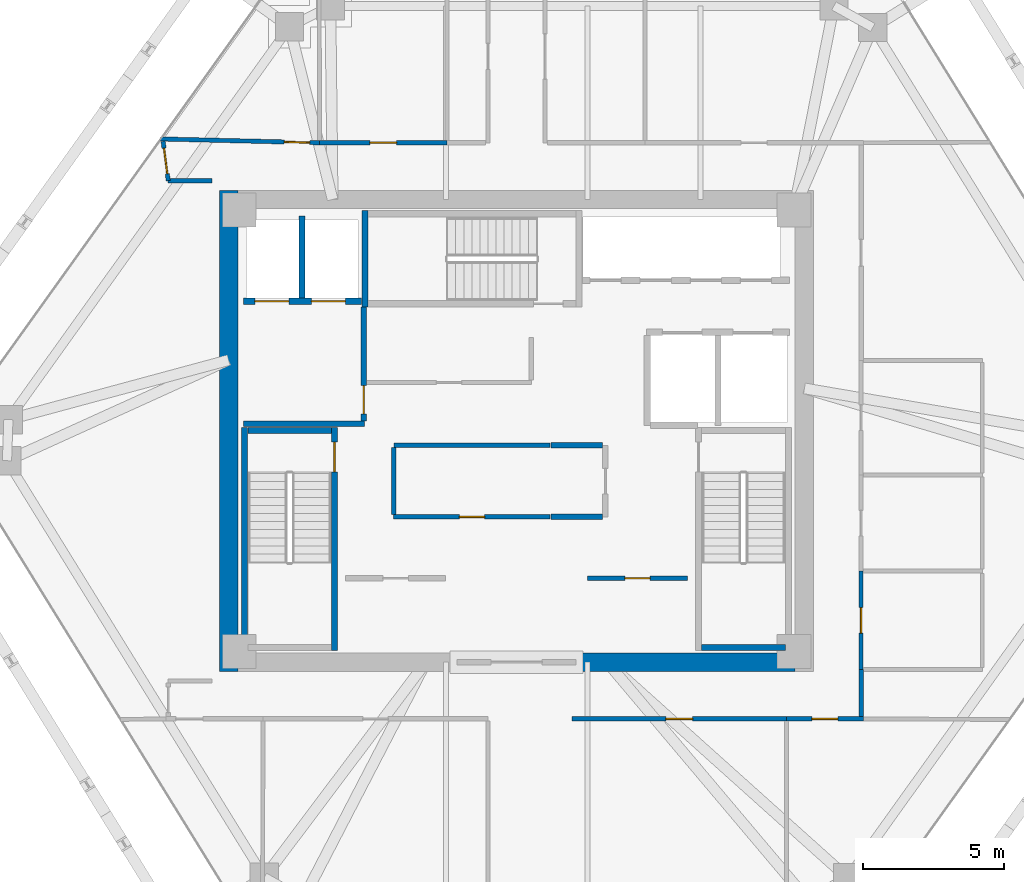
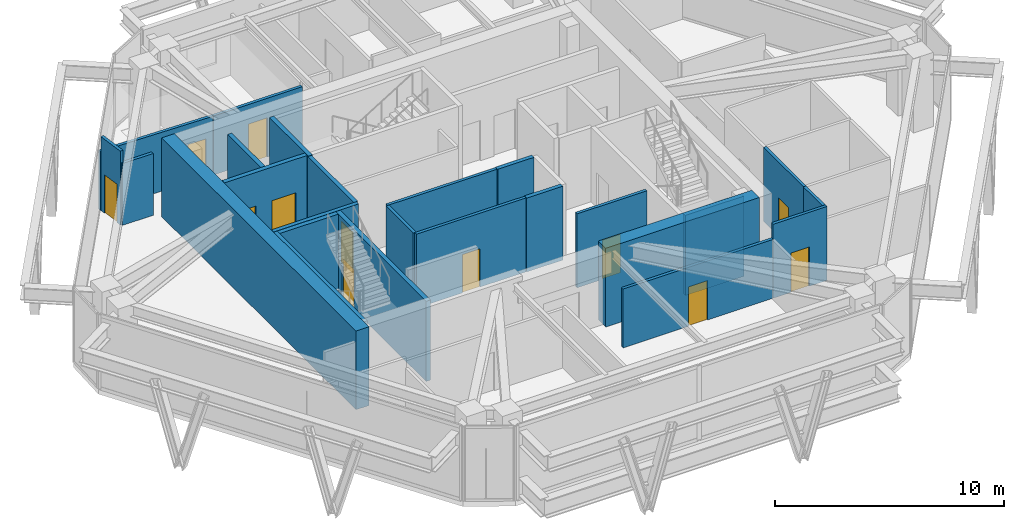
# One storey, part 8 of 11: 25 walls, 12 doors, 12 openings.
"""IFC4 building model written with IfcOpenShell, lengths in metres."""

from ifc_helpers import new_model, si_unit, direction, frame, frame_2d, origin, place, context, subcontext, project, spatial, rectangle, extrude, source, transform, mapped, material, layer, layer_set, type_object, type_shapes, element, fill, save


model = new_model("IFC4")

# Units and contexts
model_context = context("Model", 3, precision=1e-05, world=origin(), true_north=direction((0.0, 1.0)))
body_context = subcontext(model_context, "Body", "Model", "MODEL_VIEW")
ifc_project = project(units=[si_unit("LENGTHUNIT", "METRE"), si_unit("AREAUNIT", "SQUARE_METRE"), si_unit("VOLUMEUNIT", "CUBIC_METRE"), si_unit("PLANEANGLEUNIT", "RADIAN"), si_unit("MASSUNIT", "GRAM", prefix="KILO")], contexts=[model_context])

# Site, building, storey
site_placement = place(None, origin())
site = spatial("IfcSite", under=ifc_project, at=site_placement, CompositionType="ELEMENT")
building_placement = place(site_placement, origin())
building = spatial("IfcBuilding", under=site, at=building_placement, Name="Durnholm Broadcast Tower", CompositionType="ELEMENT")
storey_placement = place(building_placement, frame((0.0, 0.0, 155.10009765625)))
storey = spatial("IfcBuildingStorey", under=building, at=storey_placement, Name="L42", CompositionType="ELEMENT", Elevation=155.10009765625)

# Walls
ifc_material_1 = material(Name="Concrete C70/85", Category="concrete")
ifc_layer_1 = layer(ifc_material_1, 0.64990234375)
ifc_layer_set_1 = layer_set([ifc_layer_1], Name="Concrete C70/85")
wall_type_1 = type_object("IfcWallType", Name="WALL-CW-650", PredefinedType="SHEAR", material=ifc_layer_set_1)
wall_1_placement = place(storey_placement, frame((-10.175048828125, -8.5, 0.0), z_axis=(0.0, 0.0, 1.0), x_axis=(0.0, 1.0, 0.0)))
element("IfcWall", 1, at=wall_1_placement, inside=storey, type_object=wall_type_1, Name="L42 central core shear wall CW-WEST", PredefinedType="SHEAR", context=body_context, shape_type="SweptSolid", body=[
    extrude(rectangle(XDim=17.0, YDim=0.64990234375, at=frame_2d((8.5, 0.0))), origin(), (0.0, 0.0, 1.0), 4.199951171875),
])
wall_2_placement = place(storey_placement, frame((2.10009765625, -8.175048828125, 0.0), z_axis=(0.0, 0.0, 1.0), x_axis=(1.0, 0.0, 0.0)))
element("IfcWall", 2, at=wall_2_placement, inside=storey, type_object=wall_type_1, Name="L42 central core shear wall CW-S2", PredefinedType="SHEAR", context=body_context, shape_type="SweptSolid", body=[
    extrude(rectangle(XDim=7.75, YDim=0.64990234375, at=frame_2d((3.875, 0.0))), origin(), (0.0, 0.0, 1.0), 4.199951171875),
])
ifc_material_2 = material(Name="Fire-Rated Gypsum Shaftwall", Category="concrete")
ifc_layer_2 = layer(ifc_material_2, 0.199951171875)
ifc_layer_set_2 = layer_set([ifc_layer_2], Name="Fire-Rated Gypsum Shaftwall")
wall_type_2 = type_object("IfcWallType", Name="WALL-LOB-200", PredefinedType="SOLIDWALL", material=ifc_layer_set_2)
wall_3_placement = place(storey_placement, frame((-9.64990234375, 0.25, 0.0), z_axis=(0.0, 0.0, 1.0), x_axis=(1.0, 0.0, 0.0)))
element("IfcWall", 3, at=wall_3_placement, inside=storey, type_object=wall_type_2, Name="L42 Fire Service Access Elevator lobby south wall", PredefinedType="SOLIDWALL", context=body_context, shape_type="SweptSolid", body=[
    extrude(rectangle(XDim=4.27001953125, YDim=0.199951171875, at=frame_2d((2.135009765625, 0.0))), origin(), (0.0, 0.0, 1.0), 3.94482421875),
])

# Wall, opening, door
wall_4_placement = place(storey_placement, frame((-5.39990234375, 0.35400390625, 0.0), z_axis=(0.0, 0.0, 1.0), x_axis=(0.0, 1.0, 0.0)))
wall_4 = element("IfcWall", 4, at=wall_4_placement, inside=storey, type_object=wall_type_2, Name="L42 Fire Service Access Elevator lobby east fire wall", PredefinedType="SOLIDWALL", context=body_context, shape_type="SweptSolid", body=[
    extrude(rectangle(XDim=4.02587890625, YDim=0.199951171875, at=frame_2d((2.012939453125, 0.0))), origin(), (0.0, 0.0, 1.0), 3.94482421875),
])
opening_1_placement = place(wall_4_placement, frame((0.24609375, 0.0, 0.0)))
opening_1 = element("IfcOpeningElement", 5, at=opening_1_placement, cuts=wall_4, Name="Opening DL-60L", PredefinedType="OPENING", context=body_context, shape_type="SweptSolid", body=[
    extrude(rectangle(XDim=1.0, YDim=2.14990234375, at=frame_2d((0.5, 1.074951171875))), frame((0.0, 0.10986328125, 0.0), z_axis=(0.0, -1.0, 0.0), x_axis=(1.0, 0.0, 0.0)), (0.0, 0.0, 1.0), 0.219970703125),
])
ifc_material_3 = material(Name="Fire-Rated Timber/Steel Door", Category="steel")
ifc_layer_3 = layer(ifc_material_3, 0.050048828125)
ifc_layer_set_3 = layer_set([ifc_layer_3], Name="Fire-Rated Timber/Steel Door")
door_type_1 = type_object("IfcDoorType", Name="DOOR-LOB-FD60-L", OperationType="NOTDEFINED", PredefinedType="DOOR", material=ifc_layer_set_3)
shared_shape_1 = source(origin(), body_context, "Body", "SweptSolid", [
    extrude(rectangle(XDim=1.0, YDim=2.14990234375, at=frame_2d((0.5, 1.074951171875))), frame((0.0, 0.02490234375, 0.0), z_axis=(0.0, -1.0, 0.0), x_axis=(1.0, 0.0, 0.0)), (0.0, 0.0, 1.0), 0.050048828125),
])
type_shapes(door_type_1, [shared_shape_1])
door_1_placement = place(opening_1_placement, origin())
door_1 = element("IfcDoor", 6, at=door_1_placement, inside=storey, type_object=door_type_1, Name="L42 Fire Service Access Elevator lobby smoke door", OperationType="SINGLE_SWING_LEFT", OverallHeight=2.14990234375, OverallWidth=1.0, PredefinedType="DOOR", context=body_context, shape_type="MappedRepresentation", body=[
    mapped(shared_shape_1, transform((0.0, 0.0, 0.0), x_axis=(1.0, 0.0, 0.0), y_axis=(0.0, 1.0, 0.0), z_axis=(0.0, 0.0, 1.0), scale=1.0)),
])
fill(opening_1, door_1)

# Walls
for number, where, z_axis, x_axis, name in (
    (7, (3.035888671875, -3.0400390625, 0.0), (0.0, 0.0, 1.0), (-1.0, 0.0, 0.0), "L42 Core IT Telecom Room corridor partition"),
    (8, (1.2099609375, -0.510009765625, 0.0), (0.0, 0.0, 1.0), (1.0, 0.0, 0.0), "L42 Core IT Telecom Room corridor partition"),
):
    element("IfcWall", number, at=place(storey_placement, frame(where, z_axis=z_axis, x_axis=x_axis)), inside=storey, type_object=wall_type_2, Name=name, PredefinedType="SOLIDWALL", context=body_context, shape_type="SweptSolid", body=[
        extrude(rectangle(XDim=1.825927734375, YDim=0.199951171875, at=frame_2d((0.9130859375, 0.0))), origin(), (0.0, 0.0, 1.0), 3.94482421875),
    ])

# Wall, opening, door
ifc_material_4 = material(Name="Acoustic Gypsum Stud Partition", Category="concrete")
ifc_layer_4 = layer(ifc_material_4, 0.14990234375)
ifc_layer_set_4 = layer_set([ifc_layer_4], Name="Acoustic Gypsum Stud Partition")
wall_type_3 = type_object("IfcWallType", Name="WALL-PART-150", PredefinedType="PARTITIONING", material=ifc_layer_set_4)
wall_5_placement = place(storey_placement, frame((2.510009765625, -5.2099609375, 0.0), z_axis=(0.0, 0.0, 1.0), x_axis=(1.0, 0.0, 0.0)))
wall_5 = element("IfcWall", 9, at=wall_5_placement, inside=storey, type_object=wall_type_3, Name="L42 Editorial Beverage Pantry corridor partition", PredefinedType="PARTITIONING", context=body_context, shape_type="SweptSolid", body=[
    extrude(rectangle(XDim=3.530029296875, YDim=0.14990234375, at=frame_2d((1.76513671875, 0.0))), origin(), (0.0, 0.0, 1.0), 3.94482421875),
])
opening_2_placement = place(wall_5_placement, frame((1.31494140625, 0.0, 0.0)))
opening_2 = element("IfcOpeningElement", 10, at=opening_2_placement, cuts=wall_5, Name="Opening DC-60R", PredefinedType="OPENING", context=body_context, shape_type="SweptSolid", body=[
    extrude(rectangle(XDim=0.89990234375, YDim=2.050048828125, at=frame_2d((0.449951171875, 1.02490234375))), frame((0.0, 0.0849609375, 0.0), z_axis=(0.0, -1.0, 0.0), x_axis=(1.0, 0.0, 0.0)), (0.0, 0.0, 1.0), 0.169921875),
])
ifc_material_5 = material(Name="Fire-Rated Core Service Door", Category="steel")
ifc_layer_5 = layer(ifc_material_5, 0.050048828125)
ifc_layer_set_5 = layer_set([ifc_layer_5], Name="Fire-Rated Core Service Door")
door_type_2 = type_object("IfcDoorType", Name="DOOR-CORE-FD60-R", OperationType="NOTDEFINED", PredefinedType="DOOR", material=ifc_layer_set_5)
shared_shape_2 = source(origin(), body_context, "Body", "SweptSolid", [
    extrude(rectangle(XDim=0.89990234375, YDim=2.050048828125, at=frame_2d((0.449951171875, 1.02490234375))), frame((0.0, 0.02490234375, 0.0), z_axis=(0.0, -1.0, 0.0), x_axis=(1.0, 0.0, 0.0)), (0.0, 0.0, 1.0), 0.050048828125),
])
type_shapes(door_type_2, [shared_shape_2])
door_2_placement = place(opening_2_placement, origin())
door_2 = element("IfcDoor", 11, at=door_2_placement, inside=storey, type_object=door_type_2, Name="L42 Editorial Beverage Pantry entrance door", OperationType="SINGLE_SWING_RIGHT", OverallHeight=2.050048828125, OverallWidth=0.89990234375, PredefinedType="DOOR", context=body_context, shape_type="MappedRepresentation", body=[
    mapped(shared_shape_2, transform((0.0, 0.0, 0.0), x_axis=(1.0, 0.0, 0.0), y_axis=(0.0, 1.0, 0.0), z_axis=(0.0, 0.0, 1.0), scale=1.0)),
])
fill(opening_2, door_2)

wall_6_placement = place(storey_placement, frame((1.18994140625, -3.0400390625, 0.0), z_axis=(0.0, 0.0, 1.0), x_axis=(-1.0, 0.0, 0.0)))
wall_6 = element("IfcWall", 12, at=wall_6_placement, inside=storey, type_object=wall_type_3, Name="L42 Broadcast Equipment Store corridor partition", PredefinedType="PARTITIONING", context=body_context, shape_type="SweptSolid", body=[
    extrude(rectangle(XDim=5.530029296875, YDim=0.14990234375, at=frame_2d((2.76513671875, 0.0))), origin(), (0.0, 0.0, 1.0), 3.94482421875),
])
opening_3_placement = place(wall_6_placement, frame((2.31494140625, 0.0, 0.0)))
opening_3 = element("IfcOpeningElement", 13, at=opening_3_placement, cuts=wall_6, Name="Opening DC-60L", PredefinedType="OPENING", context=body_context, shape_type="SweptSolid", body=[
    extrude(rectangle(XDim=0.89990234375, YDim=2.050048828125, at=frame_2d((0.449951171875, 1.02490234375))), frame((0.0, 0.0849609375, 0.0), z_axis=(0.0, -1.0, 0.0), x_axis=(1.0, 0.0, 0.0)), (0.0, 0.0, 1.0), 0.169921875),
])
ifc_layer_6 = layer(ifc_material_5, 0.050048828125)
ifc_layer_set_6 = layer_set([ifc_layer_6], Name="Fire-Rated Core Service Door")
door_type_3 = type_object("IfcDoorType", Name="DOOR-CORE-FD60-L", OperationType="NOTDEFINED", PredefinedType="DOOR", material=ifc_layer_set_6)
shared_shape_3 = source(origin(), body_context, "Body", "SweptSolid", [
    extrude(rectangle(XDim=0.89990234375, YDim=2.050048828125, at=frame_2d((0.449951171875, 1.02490234375))), frame((0.0, 0.02490234375, 0.0), z_axis=(0.0, -1.0, 0.0), x_axis=(1.0, 0.0, 0.0)), (0.0, 0.0, 1.0), 0.050048828125),
])
type_shapes(door_type_3, [shared_shape_3])
door_3_placement = place(opening_3_placement, origin())
door_3 = element("IfcDoor", 14, at=door_3_placement, inside=storey, type_object=door_type_3, Name="L42 Broadcast Equipment Store entrance door", OperationType="SINGLE_SWING_LEFT", OverallHeight=2.050048828125, OverallWidth=0.89990234375, PredefinedType="DOOR", context=body_context, shape_type="MappedRepresentation", body=[
    mapped(shared_shape_3, transform((0.0, 0.0, 0.0), x_axis=(1.0, 0.0, 0.0), y_axis=(0.0, 1.0, 0.0), z_axis=(0.0, 0.0, 1.0), scale=1.0)),
])
fill(opening_3, door_3)

# Walls
wall_7_placement = place(storey_placement, frame((-4.340087890625, -0.510009765625, 0.0), z_axis=(0.0, 0.0, 1.0), x_axis=(1.0, 0.0, 0.0)))
element("IfcWall", 15, at=wall_7_placement, inside=storey, type_object=wall_type_3, Name="L42 Broadcast Equipment Store corridor partition", PredefinedType="PARTITIONING", context=body_context, shape_type="SweptSolid", body=[
    extrude(rectangle(XDim=5.530029296875, YDim=0.14990234375, at=frame_2d((2.76513671875, 0.0))), origin(), (0.0, 0.0, 1.0), 3.94482421875),
])
wall_8_placement = place(storey_placement, frame((-4.340087890625, -2.9609375, 0.0), z_axis=(0.0, 0.0, 1.0), x_axis=(0.0, 1.0, 0.0)))
element("IfcWall", 16, at=wall_8_placement, inside=storey, type_object=wall_type_3, Name="L42 Broadcast Equipment Store corridor partition", PredefinedType="PARTITIONING", context=body_context, shape_type="SweptSolid", body=[
    extrude(rectangle(XDim=2.371826171875, YDim=0.14990234375, at=frame_2d((1.18603515625, 0.0))), origin(), (0.0, 0.0, 1.0), 3.94482421875),
])

# Wall, opening, door
wall_9_placement = place(storey_placement, frame((-6.9599609375, 10.179931640625, 0.0), z_axis=(0.0, 0.0, 1.0), x_axis=(-0.999708370039, 0.024149013935, 0.0)))
wall_9 = element("IfcWall", 17, at=wall_9_placement, inside=storey, type_object=wall_type_3, Name="L42 Sky Lobby 2 Concourse corridor partition", PredefinedType="PARTITIONING", context=body_context, shape_type="SweptSolid", body=[
    extrude(rectangle(XDim=5.62109375, YDim=0.14990234375, at=frame_2d((2.810546875, 0.0))), origin(), (0.0, 0.0, 1.0), 3.1416015625),
])
opening_4_placement = place(wall_9_placement, frame((0.35009765625, 0.0, 0.0)))
opening_4 = element("IfcOpeningElement", 18, at=opening_4_placement, cuts=wall_9, Name="Opening DC-60L", PredefinedType="OPENING", context=body_context, shape_type="SweptSolid", body=[
    extrude(rectangle(XDim=0.89990234375, YDim=2.050048828125, at=frame_2d((0.449951171875, 1.02490234375))), frame((0.0, 0.0849609375, 0.0), z_axis=(0.0, -1.0, 0.0), x_axis=(1.0, 0.0, 0.0)), (0.0, 0.0, 1.0), 0.169921875),
])
door_4_placement = place(opening_4_placement, origin())
door_4 = element("IfcDoor", 19, at=door_4_placement, inside=storey, type_object=door_type_3, Name="L42 Sky Lobby 2 Concourse entrance door", OperationType="SINGLE_SWING_LEFT", OverallHeight=2.050048828125, OverallWidth=0.89990234375, PredefinedType="DOOR", context=body_context, shape_type="MappedRepresentation", body=[
    mapped(shared_shape_3, transform((0.0, 0.0, 0.0), x_axis=(1.0, 0.0, 0.0), y_axis=(0.0, 1.0, 0.0), z_axis=(0.0, 0.0, 1.0), scale=1.0)),
])
fill(opening_4, door_4)

wall_10_placement = place(storey_placement, frame((-2.4599609375, 10.179931640625, 0.0), z_axis=(0.0, 0.0, 1.0), x_axis=(-1.0, 0.0, 0.0)))
wall_10 = element("IfcWall", 20, at=wall_10_placement, inside=storey, type_object=wall_type_3, Name="L42 Broadcast Espresso Dining Room corridor partition", PredefinedType="PARTITIONING", context=body_context, shape_type="SweptSolid", body=[
    extrude(rectangle(XDim=4.5, YDim=0.14990234375, at=frame_2d((2.25, 0.0))), origin(), (0.0, 0.0, 1.0), 3.1416015625),
])
opening_5_placement = place(wall_10_placement, frame((1.77490234375, 0.0, 0.0)))
opening_5 = element("IfcOpeningElement", 21, at=opening_5_placement, cuts=wall_10, Name="Opening DR-95R", PredefinedType="OPENING", context=body_context, shape_type="SweptSolid", body=[
    extrude(rectangle(XDim=0.949951171875, YDim=2.10009765625, at=frame_2d((0.47509765625, 1.050048828125))), frame((0.0, 0.0849609375, 0.0), z_axis=(0.0, -1.0, 0.0), x_axis=(1.0, 0.0, 0.0)), (0.0, 0.0, 1.0), 0.169921875),
])
ifc_material_6 = material(Name="Acoustic Oak Veneer Timber Door", Category="wood")
ifc_layer_7 = layer(ifc_material_6, 0.050048828125)
ifc_layer_set_7 = layer_set([ifc_layer_7], Name="Acoustic Oak Veneer Timber Door")
door_type_4 = type_object("IfcDoorType", Name="DOOR-RM-950R", OperationType="NOTDEFINED", PredefinedType="DOOR", material=ifc_layer_set_7)
shared_shape_4 = source(origin(), body_context, "Body", "SweptSolid", [
    extrude(rectangle(XDim=0.949951171875, YDim=2.10009765625, at=frame_2d((0.47509765625, 1.050048828125))), frame((0.0, 0.02490234375, 0.0), z_axis=(0.0, -1.0, 0.0), x_axis=(1.0, 0.0, 0.0)), (0.0, 0.0, 1.0), 0.050048828125),
])
type_shapes(door_type_4, [shared_shape_4])
door_5_placement = place(opening_5_placement, origin())
door_5 = element("IfcDoor", 22, at=door_5_placement, inside=storey, type_object=door_type_4, Name="L42 Broadcast Espresso Dining Room entrance door", OperationType="SINGLE_SWING_RIGHT", OverallHeight=2.10009765625, OverallWidth=0.949951171875, PredefinedType="DOOR", context=body_context, shape_type="MappedRepresentation", body=[
    mapped(shared_shape_4, transform((0.0, 0.0, 0.0), x_axis=(1.0, 0.0, 0.0), y_axis=(0.0, 1.0, 0.0), z_axis=(0.0, 0.0, 1.0), scale=1.0)),
])
fill(opening_5, door_5)

wall_11_placement = place(storey_placement, frame((1.9599609375, -10.179931640625, 0.0), z_axis=(0.0, 0.0, 1.0), x_axis=(1.0, 0.0, 0.0)))
wall_11 = element("IfcWall", 23, at=wall_11_placement, inside=storey, type_object=wall_type_3, Name="L42 Broadcast Espresso Dining Room corridor partition", PredefinedType="PARTITIONING", context=body_context, shape_type="SweptSolid", body=[
    extrude(rectangle(XDim=7.580078125, YDim=0.14990234375, at=frame_2d((3.7900390625, 0.0))), origin(), (0.0, 0.0, 1.0), 3.1416015625),
])
opening_6_placement = place(wall_11_placement, frame((3.31494140625, 0.0, 0.0)))
opening_6 = element("IfcOpeningElement", 24, at=opening_6_placement, cuts=wall_11, Name="Opening DR-95R", PredefinedType="OPENING", context=body_context, shape_type="SweptSolid", body=[
    extrude(rectangle(XDim=0.949951171875, YDim=2.10009765625, at=frame_2d((0.47509765625, 1.050048828125))), frame((0.0, 0.0849609375, 0.0), z_axis=(0.0, -1.0, 0.0), x_axis=(1.0, 0.0, 0.0)), (0.0, 0.0, 1.0), 0.169921875),
])
door_6_placement = place(opening_6_placement, origin())
door_6 = element("IfcDoor", 25, at=door_6_placement, inside=storey, type_object=door_type_4, Name="L42 Broadcast Espresso Dining Room entrance door", OperationType="SINGLE_SWING_RIGHT", OverallHeight=2.10009765625, OverallWidth=0.949951171875, PredefinedType="DOOR", context=body_context, shape_type="MappedRepresentation", body=[
    mapped(shared_shape_4, transform((0.0, 0.0, 0.0), x_axis=(1.0, 0.0, 0.0), y_axis=(0.0, 1.0, 0.0), z_axis=(0.0, 0.0, 1.0), scale=1.0)),
])
fill(opening_6, door_6)

wall_12_placement = place(storey_placement, frame((9.5400390625, -10.179931640625, 0.0), z_axis=(0.0, 0.0, 1.0), x_axis=(1.0, 0.0, 0.0)))
wall_12 = element("IfcWall", 26, at=wall_12_placement, inside=storey, type_object=wall_type_3, Name="L42 Open Plan Broadcast Workspace 4 corridor partition", PredefinedType="PARTITIONING", context=body_context, shape_type="SweptSolid", body=[
    extrude(rectangle(XDim=2.719970703125, YDim=0.14990234375, at=frame_2d((1.35986328125, 0.0))), origin(), (0.0, 0.0, 1.0), 3.94482421875),
])
opening_7_placement = place(wall_12_placement, frame((0.89990234375, 0.0, 0.0)))
opening_7 = element("IfcOpeningElement", 27, at=opening_7_placement, cuts=wall_12, Name="Opening DR-92L", PredefinedType="OPENING", context=body_context, shape_type="SweptSolid", body=[
    extrude(rectangle(XDim=0.919921875, YDim=2.10009765625, at=frame_2d((0.4599609375, 1.050048828125))), frame((0.0, 0.0849609375, 0.0), z_axis=(0.0, -1.0, 0.0), x_axis=(1.0, 0.0, 0.0)), (0.0, 0.0, 1.0), 0.169921875),
])
ifc_material_7 = material(Name="Oak Veneer Office Door", Category="wood")
ifc_layer_8 = layer(ifc_material_7, 0.050048828125)
ifc_layer_set_8 = layer_set([ifc_layer_8], Name="Oak Veneer Office Door")
door_type_5 = type_object("IfcDoorType", Name="DOOR-RM-920L", OperationType="NOTDEFINED", PredefinedType="DOOR", material=ifc_layer_set_8)
shared_shape_5 = source(origin(), body_context, "Body", "SweptSolid", [
    extrude(rectangle(XDim=0.919921875, YDim=2.10009765625, at=frame_2d((0.4599609375, 1.050048828125))), frame((0.0, 0.02490234375, 0.0), z_axis=(0.0, -1.0, 0.0), x_axis=(1.0, 0.0, 0.0)), (0.0, 0.0, 1.0), 0.050048828125),
])
type_shapes(door_type_5, [shared_shape_5])
door_7_placement = place(opening_7_placement, origin())
door_7 = element("IfcDoor", 28, at=door_7_placement, inside=storey, type_object=door_type_5, Name="L42 Open Plan Broadcast Workspace 4 entrance door", OperationType="SINGLE_SWING_LEFT", OverallHeight=2.10009765625, OverallWidth=0.919921875, PredefinedType="DOOR", context=body_context, shape_type="MappedRepresentation", body=[
    mapped(shared_shape_5, transform((0.0, 0.0, 0.0), x_axis=(1.0, 0.0, 0.0), y_axis=(0.0, 1.0, 0.0), z_axis=(0.0, 0.0, 1.0), scale=1.0)),
])
fill(opening_7, door_7)

# Wall
wall_13_placement = place(storey_placement, frame((-12.31005859375, 8.840087890625, 0.0), z_axis=(0.0, 0.0, 1.0), x_axis=(1.0, 0.0, 0.0)))
element("IfcWall", 29, at=wall_13_placement, inside=storey, type_object=wall_type_3, Name="L42 Media Concierge Office corridor partition", PredefinedType="PARTITIONING", context=body_context, shape_type="SweptSolid", body=[
    extrude(rectangle(XDim=1.550048828125, YDim=0.14990234375, at=frame_2d((0.77490234375, 0.0))), origin(), (0.0, 0.0, 1.0), 3.298583984375),
])

# Wall, opening, door
wall_14_placement = place(storey_placement, frame((-12.491943359375, 10.234619140625, 0.0), z_axis=(0.0, 0.0, 1.0), x_axis=(0.129331762516, -0.991601379186, 0.0)))
wall_14 = element("IfcWall", 30, at=wall_14_placement, inside=storey, type_object=wall_type_3, Name="L42 Media Concierge Office corridor partition", PredefinedType="PARTITIONING", context=body_context, shape_type="SweptSolid", body=[
    extrude(rectangle(XDim=1.40625, YDim=0.14990234375, at=frame_2d((0.703125, 0.0))), origin(), (0.0, 0.0, 1.0), 3.94482421875),
])
opening_8_placement = place(wall_14_placement, frame((0.253173828125, 0.0, 0.0)))
opening_8 = element("IfcOpeningElement", 31, at=opening_8_placement, cuts=wall_14, Name="Opening DW-90L", PredefinedType="OPENING", context=body_context, shape_type="SweptSolid", body=[
    extrude(rectangle(XDim=0.89990234375, YDim=2.050048828125, at=frame_2d((0.449951171875, 1.02490234375))), frame((0.0, 0.0849609375, 0.0), z_axis=(0.0, -1.0, 0.0), x_axis=(1.0, 0.0, 0.0)), (0.0, 0.0, 1.0), 0.169921875),
])
ifc_material_8 = material(Name="Laminate Restroom Door", Category="steel")
ifc_layer_9 = layer(ifc_material_8, 0.050048828125)
ifc_layer_set_9 = layer_set([ifc_layer_9], Name="Laminate Restroom Door")
door_type_6 = type_object("IfcDoorType", Name="DOOR-WC-900L", OperationType="NOTDEFINED", PredefinedType="DOOR", material=ifc_layer_set_9)
shared_shape_6 = source(origin(), body_context, "Body", "SweptSolid", [
    extrude(rectangle(XDim=0.89990234375, YDim=2.050048828125, at=frame_2d((0.449951171875, 1.02490234375))), frame((0.0, 0.02490234375, 0.0), z_axis=(0.0, -1.0, 0.0), x_axis=(1.0, 0.0, 0.0)), (0.0, 0.0, 1.0), 0.050048828125),
])
type_shapes(door_type_6, [shared_shape_6])
door_8_placement = place(opening_8_placement, origin())
door_8 = element("IfcDoor", 32, at=door_8_placement, inside=storey, type_object=door_type_6, Name="L42 Media Concierge Office entrance door", OperationType="SINGLE_SWING_LEFT", OverallHeight=2.050048828125, OverallWidth=0.89990234375, PredefinedType="DOOR", context=body_context, shape_type="MappedRepresentation", body=[
    mapped(shared_shape_6, transform((0.0, 0.0, 0.0), x_axis=(1.0, 0.0, 0.0), y_axis=(0.0, 1.0, 0.0), z_axis=(0.0, 0.0, 1.0), scale=1.0)),
])
fill(opening_8, door_8)

# Wall
wall_15_placement = place(storey_placement, frame((12.179931640625, -10.10107421875, 0.0), z_axis=(0.0, 0.0, 1.0), x_axis=(0.0, 1.0, 0.0)))
element("IfcWall", 33, at=wall_15_placement, inside=storey, type_object=wall_type_3, Name="L42 Sky Barista Kitchen corridor partition", PredefinedType="PARTITIONING", context=body_context, shape_type="SweptSolid", body=[
    extrude(rectangle(XDim=1.6611328125, YDim=0.14990234375, at=frame_2d((0.83056640625, 0.0))), origin(), (0.0, 0.0, 1.0), 3.94482421875),
])

# Wall, openings, doors
ifc_material_9 = material(Name="Concrete Blockwork C30/37", Category="masonry")
ifc_layer_10 = layer(ifc_material_9, 0.219970703125)
ifc_layer_set_10 = layer_set([ifc_layer_10], Name="Concrete Blockwork C30/37")
wall_type_4 = type_object("IfcWallType", Name="WALL-SHAFT-220", PredefinedType="SOLIDWALL", material=ifc_layer_set_10)
wall_16_placement = place(storey_placement, frame((-9.64990234375, 4.580078125, 0.0), z_axis=(0.0, 0.0, 1.0), x_axis=(1.0, 0.0, 0.0)))
wall_16 = element("IfcWall", 34, at=wall_16_placement, inside=storey, type_object=wall_type_4, Name="L42 FSAE hoistway front fire wall", PredefinedType="SOLIDWALL", context=body_context, shape_type="SweptSolid", body=[
    extrude(rectangle(XDim=4.1748046875, YDim=0.219970703125, at=frame_2d((2.08740234375, 0.0))), origin(), (0.0, 0.0, 1.0), 3.94482421875),
])
opening_9_placement = place(wall_16_placement, frame((0.39990234375, 0.0, 0.0)))
opening_9 = element("IfcOpeningElement", 35, at=opening_9_placement, cuts=wall_16, Name="Opening LD-FSAE-2", PredefinedType="OPENING", context=body_context, shape_type="SweptSolid", body=[
    extrude(rectangle(XDim=1.199951171875, YDim=2.14990234375, at=frame_2d((0.60009765625, 1.074951171875))), frame((0.0, 0.1201171875, 0.0), z_axis=(0.0, -1.0, 0.0), x_axis=(1.0, 0.0, 0.0)), (0.0, 0.0, 1.0), 0.239990234375),
])
opening_10_placement = place(wall_16_placement, frame((2.39990234375, 0.0, 0.0)))
opening_10 = element("IfcOpeningElement", 36, at=opening_10_placement, cuts=wall_16, Name="Opening LD-FSAE-1", PredefinedType="OPENING", context=body_context, shape_type="SweptSolid", body=[
    extrude(rectangle(XDim=1.199951171875, YDim=2.14990234375, at=frame_2d((0.60009765625, 1.074951171875))), frame((0.0, 0.1201171875, 0.0), z_axis=(0.0, -1.0, 0.0), x_axis=(1.0, 0.0, 0.0)), (0.0, 0.0, 1.0), 0.239990234375),
])
ifc_material_10 = material(Name="Fire Service Access Sliding Landing Door", Category="steel")
ifc_layer_11 = layer(ifc_material_10, 0.050048828125)
ifc_layer_set_11 = layer_set([ifc_layer_11], Name="Fire Service Access Sliding Landing Door")
door_type_7 = type_object("IfcDoorType", Name="DOOR-LIFT-FSAE", OperationType="DOUBLE_DOOR_SLIDING", PredefinedType="DOOR", material=ifc_layer_set_11)
shared_shape_7 = source(origin(), body_context, "Body", "SweptSolid", [
    extrude(rectangle(XDim=1.199951171875, YDim=2.14990234375, at=frame_2d((0.60009765625, 1.074951171875))), frame((0.0, 0.02490234375, 0.0), z_axis=(0.0, -1.0, 0.0), x_axis=(1.0, 0.0, 0.0)), (0.0, 0.0, 1.0), 0.050048828125),
])
type_shapes(door_type_7, [shared_shape_7])
door_9_placement = place(opening_9_placement, origin())
door_9 = element("IfcDoor", 37, at=door_9_placement, inside=storey, type_object=door_type_7, Name="L42 Fire Service Access Elevator FSAE-2 sliding landing door", OperationType="DOUBLE_DOOR_SLIDING", OverallHeight=2.14990234375, OverallWidth=1.199951171875, PredefinedType="DOOR", context=body_context, shape_type="MappedRepresentation", body=[
    mapped(shared_shape_7, transform((0.0, 0.0, 0.0), x_axis=(1.0, 0.0, 0.0), y_axis=(0.0, 1.0, 0.0), z_axis=(0.0, 0.0, 1.0), scale=1.0)),
])
fill(opening_9, door_9)
door_10_placement = place(opening_10_placement, origin())
door_10 = element("IfcDoor", 38, at=door_10_placement, inside=storey, type_object=door_type_7, Name="L42 Fire Service Access Elevator FSAE-1 sliding landing door", OperationType="DOUBLE_DOOR_SLIDING", OverallHeight=2.14990234375, OverallWidth=1.199951171875, PredefinedType="DOOR", context=body_context, shape_type="MappedRepresentation", body=[
    mapped(shared_shape_7, transform((0.0, 0.0, 0.0), x_axis=(1.0, 0.0, 0.0), y_axis=(0.0, 1.0, 0.0), z_axis=(0.0, 0.0, 1.0), scale=1.0)),
])
fill(opening_10, door_10)

# Wall
wall_17_placement = place(storey_placement, frame((-7.580078125, 4.694091796875, 0.0), z_axis=(0.0, 0.0, 1.0), x_axis=(0.0, 1.0, 0.0)))
element("IfcWall", 39, at=wall_17_placement, inside=storey, type_object=wall_type_4, Name="L42 FSAE shaft divider wall", PredefinedType="SOLIDWALL", context=body_context, shape_type="SweptSolid", body=[
    extrude(rectangle(XDim=2.906005859375, YDim=0.219970703125, at=frame_2d((1.453125, 0.0))), origin(), (0.0, 0.0, 1.0), 3.94482421875),
])

# Wall, opening, door
ifc_material_11 = material(Name="Concrete C50/60", Category="concrete")
ifc_layer_12 = layer(ifc_material_11, 0.219970703125)
ifc_layer_set_12 = layer_set([ifc_layer_12], Name="Concrete C50/60")
wall_type_5 = type_object("IfcWallType", Name="WALL-SW-220", PredefinedType="SHEAR", material=ifc_layer_set_12)
wall_18_placement = place(storey_placement, frame((-6.429931640625, -7.77001953125, -0.320068359375), z_axis=(0.0, 0.0, 1.0), x_axis=(0.0, 1.0, 0.0)))
wall_18 = element("IfcWall", 40, at=wall_18_placement, inside=storey, type_object=wall_type_5, Name="L42 stair ST-1 structural shaft wall E", PredefinedType="SHEAR", context=body_context, shape_type="SweptSolid", body=[
    extrude(rectangle(XDim=7.89013671875, YDim=0.219970703125, at=frame_2d((3.945068359375, 0.0))), origin(), (0.0, 0.0, 1.0), 4.280029296875),
])
opening_11_placement = place(wall_18_placement, frame((6.320068359375, 0.0, 0.0)))
opening_11 = element("IfcOpeningElement", 41, at=opening_11_placement, cuts=wall_18, Name="Opening DS-90L", PredefinedType="OPENING", context=body_context, shape_type="SweptSolid", body=[
    extrude(rectangle(XDim=1.050048828125, YDim=2.14990234375, at=frame_2d((0.52490234375, 1.074951171875))), frame((0.0, 0.1201171875, 0.0), z_axis=(0.0, -1.0, 0.0), x_axis=(1.0, 0.0, 0.0)), (0.0, 0.0, 1.0), 0.239990234375),
])
ifc_material_12 = material(Name="Fire-Rated Steel Door", Category="steel")
ifc_layer_13 = layer(ifc_material_12, 0.050048828125)
ifc_layer_set_13 = layer_set([ifc_layer_13], Name="Fire-Rated Steel Door")
door_type_8 = type_object("IfcDoorType", Name="DOOR-ST-FD90-L", OperationType="NOTDEFINED", PredefinedType="DOOR", material=ifc_layer_set_13)
shared_shape_8 = source(origin(), body_context, "Body", "SweptSolid", [
    extrude(rectangle(XDim=1.050048828125, YDim=2.14990234375, at=frame_2d((0.52490234375, 1.074951171875))), frame((0.0, 0.02490234375, 0.0), z_axis=(0.0, -1.0, 0.0), x_axis=(1.0, 0.0, 0.0)), (0.0, 0.0, 1.0), 0.050048828125),
])
type_shapes(door_type_8, [shared_shape_8])
door_11_placement = place(opening_11_placement, origin())
door_11 = element("IfcDoor", 42, at=door_11_placement, inside=storey, type_object=door_type_8, Name="L42 exit stair ST-1 fire door", OperationType="SINGLE_SWING_LEFT", OverallHeight=2.14990234375, OverallWidth=1.050048828125, PredefinedType="DOOR", context=body_context, shape_type="MappedRepresentation", body=[
    mapped(shared_shape_8, transform((0.0, 0.0, 0.0), x_axis=(1.0, 0.0, 0.0), y_axis=(0.0, 1.0, 0.0), z_axis=(0.0, 0.0, 1.0), scale=1.0)),
])
fill(opening_11, door_11)

# Walls
wall_19_placement = place(storey_placement, frame((-9.610107421875, 0.1201171875, -0.320068359375), z_axis=(0.0, 0.0, 1.0), x_axis=(0.0, -1.0, 0.0)))
element("IfcWall", 43, at=wall_19_placement, inside=storey, type_object=wall_type_5, Name="L42 stair ST-1 structural shaft wall W", PredefinedType="SHEAR", context=body_context, shape_type="SweptSolid", body=[
    extrude(rectangle(XDim=7.89013671875, YDim=0.219970703125, at=frame_2d((3.945068359375, 0.0))), origin(), (0.0, 0.0, 1.0), 4.280029296875),
])
for number, where, z_axis, x_axis, name in (
    (44, (-6.5400390625, 0.010009765625, -0.320068359375), (0.0, 0.0, 1.0), (-1.0, 0.0, 0.0), "L42 stair ST-1 structural shaft wall N"),
    (45, (6.5400390625, -7.659912109375, -0.320068359375), (0.0, 0.0, 1.0), (1.0, 0.0, 0.0), "L42 stair ST-2 structural shaft wall S"),
):
    element("IfcWall", number, at=place(storey_placement, frame(where, z_axis=z_axis, x_axis=x_axis)), inside=storey, type_object=wall_type_5, Name=name, PredefinedType="SHEAR", context=body_context, shape_type="SweptSolid", body=[
        extrude(rectangle(XDim=2.9599609375, YDim=0.219970703125, at=frame_2d((1.47998046875, 0.0))), origin(), (0.0, 0.0, 1.0), 4.280029296875),
    ])
wall_20_placement = place(storey_placement, frame((-5.360107421875, 7.780029296875, -0.320068359375), z_axis=(0.0, 0.0, 1.0), x_axis=(0.0, -1.0, 0.0)))
element("IfcWall", 46, at=wall_20_placement, inside=storey, type_object=wall_type_5, Name="L42 stair ST-3 structural shaft wall W", PredefinedType="SHEAR", context=body_context, shape_type="SweptSolid", body=[
    extrude(rectangle(XDim=3.400146484375, YDim=0.219970703125, at=frame_2d((1.7001953125, 0.0))), origin(), (0.0, 0.0, 1.0), 4.280029296875),
])

# Wall, opening, door
ifc_material_13 = material(Name="Moisture-Resistant Tile Partition", Category="concrete")
ifc_layer_14 = layer(ifc_material_13, 0.139892578125)
ifc_layer_set_14 = layer_set([ifc_layer_14], Name="Moisture-Resistant Tile Partition")
wall_type_6 = type_object("IfcWallType", Name="WALL-WC-140", PredefinedType="PARTITIONING", material=ifc_layer_set_14)
wall_21_placement = place(storey_placement, frame((12.179931640625, -8.43994140625, 0.0), z_axis=(0.0, 0.0, 1.0), x_axis=(0.0, 1.0, 0.0)))
wall_21 = element("IfcWall", 47, at=wall_21_placement, inside=storey, type_object=wall_type_6, Name="L42 Men's Restroom corridor partition", PredefinedType="PARTITIONING", context=body_context, shape_type="SweptSolid", body=[
    extrude(rectangle(XDim=3.47998046875, YDim=0.139892578125, at=frame_2d((1.739990234375, 0.0))), origin(), (0.0, 0.0, 1.0), 3.94482421875),
])
opening_12_placement = place(wall_21_placement, frame((1.2900390625, 0.0, 0.0)))
opening_12 = element("IfcOpeningElement", 48, at=opening_12_placement, cuts=wall_21, Name="Opening DW-90R", PredefinedType="OPENING", context=body_context, shape_type="SweptSolid", body=[
    extrude(rectangle(XDim=0.89990234375, YDim=2.050048828125, at=frame_2d((0.449951171875, 1.02490234375))), frame((0.0, 0.080078125, 0.0), z_axis=(0.0, -1.0, 0.0), x_axis=(1.0, 0.0, 0.0)), (0.0, 0.0, 1.0), 0.159912109375),
])
ifc_layer_15 = layer(ifc_material_8, 0.050048828125)
ifc_layer_set_15 = layer_set([ifc_layer_15], Name="Laminate Restroom Door")
door_type_9 = type_object("IfcDoorType", Name="DOOR-WC-900R", OperationType="NOTDEFINED", PredefinedType="DOOR", material=ifc_layer_set_15)
shared_shape_9 = source(origin(), body_context, "Body", "SweptSolid", [
    extrude(rectangle(XDim=0.89990234375, YDim=2.050048828125, at=frame_2d((0.449951171875, 1.02490234375))), frame((0.0, 0.02490234375, 0.0), z_axis=(0.0, -1.0, 0.0), x_axis=(1.0, 0.0, 0.0)), (0.0, 0.0, 1.0), 0.050048828125),
])
type_shapes(door_type_9, [shared_shape_9])
door_12_placement = place(opening_12_placement, origin())
door_12 = element("IfcDoor", 49, at=door_12_placement, inside=storey, type_object=door_type_9, Name="L42 Men's Restroom entrance door", OperationType="SINGLE_SWING_RIGHT", OverallHeight=2.050048828125, OverallWidth=0.89990234375, PredefinedType="DOOR", context=body_context, shape_type="MappedRepresentation", body=[
    mapped(shared_shape_9, transform((0.0, 0.0, 0.0), x_axis=(1.0, 0.0, 0.0), y_axis=(0.0, 1.0, 0.0), z_axis=(0.0, 0.0, 1.0), scale=1.0)),
])
fill(opening_12, door_12)

save(model, "model.ifc")
